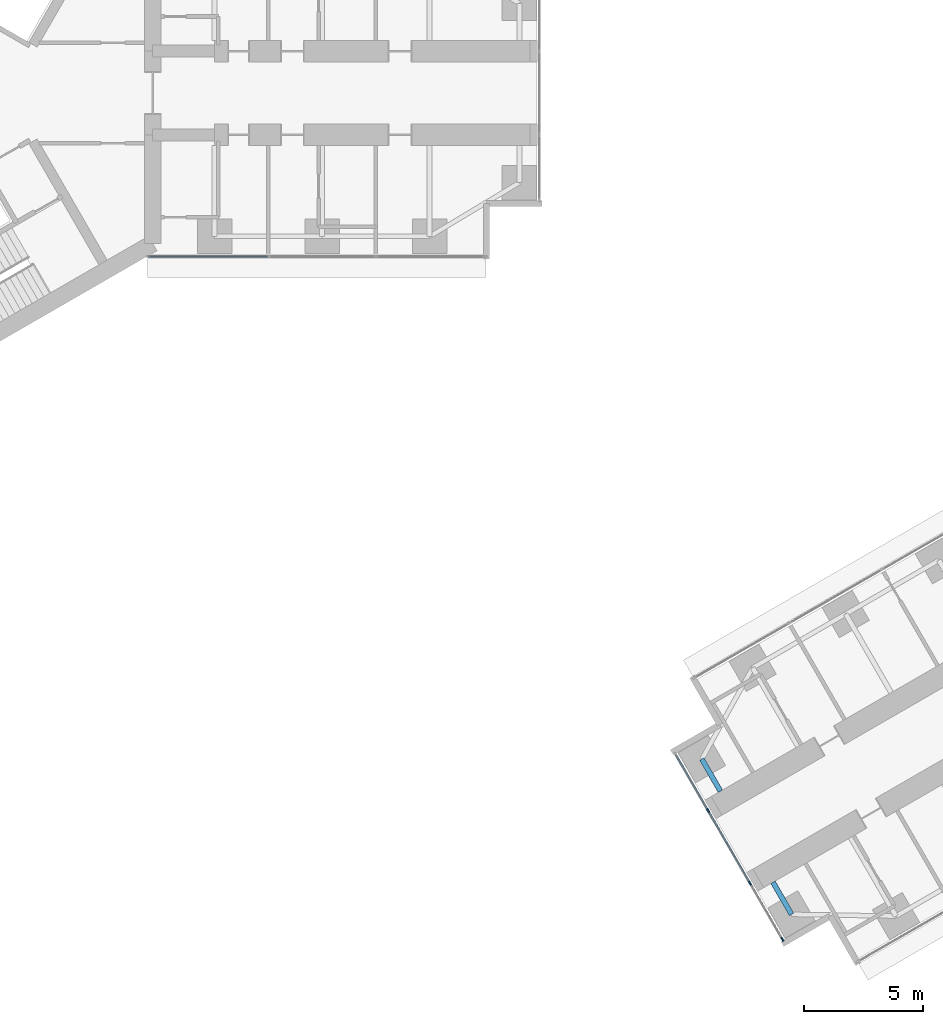
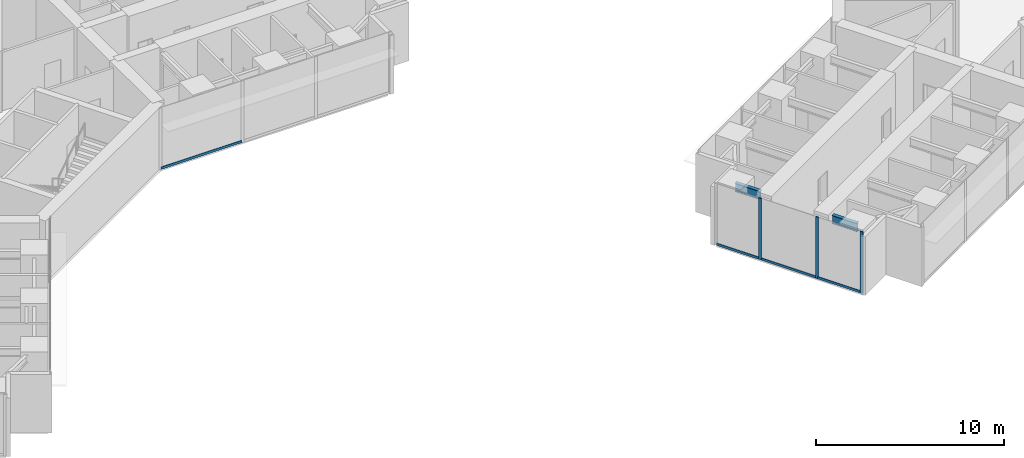
# One storey, part 3 of 24: 7 members, 2 beams, 2 elements without a shape of their own.
"""IFC4 building model written with IfcOpenShell, lengths in metres."""

import ifcopenshell
import ifcopenshell.guid

model = None  # the IFC model being written
_history = None  # IfcOwnerHistory: only IFC2X3 demands one
_inside = {}  # id of a spatial element -> (the spatial element, [elements in it])
_under = {}  # id of a project, library or spatial element -> (it, [spatial elements below it])
_declared = {}  # id of a project -> (the project, [libraries it declares])
_typed = {}  # id of a type object -> (the type object, [elements of that type])
_made_of = {}  # id of a material, layer set ... -> (it, [elements and type objects made of it])


def new_model(schema):
    """Start an empty IFC model of exactly this schema.

    Asked for "IFC4X3", IfcOpenShell would pick the latest addendum, in which some entities
    have other attributes; the version numbers below select the first issue.
    IFC2X3 requires an IfcOwnerHistory on every rooted entity: one is made here for all.
    """
    global model, _history
    if schema == "IFC4X3":
        model = ifcopenshell.file(schema_version=(4, 3, 0, 0))
    else:
        model = ifcopenshell.file(schema=schema)
    _inside.clear()
    _under.clear()
    _declared.clear()
    _typed.clear()
    _made_of.clear()
    _history = None
    if model.schema == "IFC2X3":
        org = make("IfcOrganization", Name="unknown")
        user = make(
            "IfcPersonAndOrganization",
            ThePerson=make("IfcPerson", FamilyName="unknown"),
            TheOrganization=org,
        )
        app = make(
            "IfcApplication",
            ApplicationDeveloper=org,
            Version="unknown",
            ApplicationFullName="unknown",
            ApplicationIdentifier="unknown",
        )
        _history = make(
            "IfcOwnerHistory",
            OwningUser=user,
            OwningApplication=app,
            ChangeAction="ADDED",
            CreationDate=0,
        )
    return model


def make(cls, **values):
    """One entity of the class cls with the attributes given. An attribute that is None is left unset."""
    return model.create_entity(
        cls, **{name: value for name, value in values.items() if value is not None}
    )


def rooted(cls, **values):
    """An entity with a GlobalId (a new one), such as an element, a storey or a relation."""
    return make(cls, GlobalId=ifcopenshell.guid.new(), OwnerHistory=_history, **values)


def si_unit(unit_type, name, prefix=None):
    """IfcSIUnit, for example si_unit("LENGTHUNIT", "METRE", prefix="MILLI")."""
    return make("IfcSIUnit", UnitType=unit_type, Prefix=prefix, Name=name)


def assignment(units):
    """IfcUnitAssignment: the units of a project."""
    return None if units is None else make("IfcUnitAssignment", Units=units)


def point(xyz):
    """IfcCartesianPoint."""
    return None if xyz is None else make("IfcCartesianPoint", Coordinates=xyz)


def direction(xyz):
    """IfcDirection."""
    return None if xyz is None else make("IfcDirection", DirectionRatios=xyz)


def frame(location, z_axis=None, x_axis=None):
    """IfcAxis2Placement3D, a coordinate frame: its origin and axes. An axis left out is left unset."""
    return make(
        "IfcAxis2Placement3D",
        Location=point(location),
        Axis=direction(z_axis),
        RefDirection=direction(x_axis),
    )


def frame_2d(location, x_axis=None):
    """IfcAxis2Placement2D, a coordinate frame in the plane: its origin and x axis."""
    return make(
        "IfcAxis2Placement2D", Location=point(location), RefDirection=direction(x_axis)
    )


def origin():
    """The frame at (0, 0, 0) with its axes left unset."""
    return frame((0.0, 0.0, 0.0))


def origin_2d():
    """The frame at (0, 0) in the plane with its x axis left unset."""
    return frame_2d((0.0, 0.0))


def place(relative_to, where):
    """IfcLocalPlacement: puts the frame where relative to a parent placement (None: the world)."""
    return make(
        "IfcLocalPlacement", PlacementRelTo=relative_to, RelativePlacement=where
    )


def context(
    kind, dimensions, precision=None, world=None, true_north=None, identifier=None
):
    """IfcGeometricRepresentationContext, for example the 3D "Model" context."""
    return make(
        "IfcGeometricRepresentationContext",
        ContextIdentifier=identifier,
        ContextType=kind,
        CoordinateSpaceDimension=dimensions,
        Precision=precision,
        WorldCoordinateSystem=world,
        TrueNorth=true_north,
    )


def subcontext(parent, identifier, kind, view, scale=None):
    """IfcGeometricRepresentationSubContext, for example "Body" below "Model"."""
    return make(
        "IfcGeometricRepresentationSubContext",
        ContextIdentifier=identifier,
        ContextType=kind,
        ParentContext=parent,
        TargetScale=scale,
        TargetView=view,
    )


def project(units=None, contexts=None):
    """IfcProject with its units and contexts."""
    return rooted(
        "IfcProject",
        Name="project",
        RepresentationContexts=contexts,
        UnitsInContext=assignment(units),
    )


def spatial(cls, under=None, at=None, **own):
    """A site, building, storey or space (cls), placed at a placement, below another one or the project."""
    s = rooted(cls, ObjectPlacement=at, **own)
    if under is not None:
        _under.setdefault(under.id(), (under, []))[1].append(s)
    return s


def profile(cls, at=None, kind="AREA", **sizes):
    """A parametric profile (cls). Its sizes go by their IFC names, for example OverallWidth=200.0."""
    return make(cls, ProfileType=kind, Position=at, **sizes)


def rectangle(**sizes):
    """IfcRectangleProfileDef."""
    return profile("IfcRectangleProfileDef", **sizes)


def i_section(**sizes):
    """IfcIShapeProfileDef."""
    return profile("IfcIShapeProfileDef", **sizes)


def extrude(swept, where, along, depth):
    """IfcExtrudedAreaSolid: the profile swept, set in the frame where, extruded along a direction by depth."""
    return make(
        "IfcExtrudedAreaSolid",
        SweptArea=swept,
        Position=where,
        ExtrudedDirection=direction(along),
        Depth=depth,
    )


def shape(context_of_items, identifier, shape_type, items):
    """IfcShapeRepresentation: the items that make up one representation, for example the "Body"."""
    return make(
        "IfcShapeRepresentation",
        ContextOfItems=context_of_items,
        RepresentationIdentifier=identifier,
        RepresentationType=shape_type,
        Items=items,
    )


def material(Name=None, Category=None):
    """IfcMaterial."""
    return make("IfcMaterial", Name=Name, Category=Category)


def material_profile(
    of_material, cross_section, Name=None, Category=None, Priority=None
):
    """IfcMaterialProfile: a cross section and its material."""
    return make(
        "IfcMaterialProfile",
        Name=Name,
        Material=of_material,
        Profile=cross_section,
        Priority=Priority,
        Category=Category,
    )


def profile_set(profiles, Name=None, composite=None):
    """IfcMaterialProfileSet."""
    return make(
        "IfcMaterialProfileSet",
        Name=Name,
        MaterialProfiles=profiles,
        CompositeProfile=composite,
    )


def made_of(thing, what):
    """Note that an element or type object is made of a material, layer set ...; save() writes the relation."""
    if what is not None:
        _made_of.setdefault(what.id(), (what, []))[1].append(thing)
    return thing


def type_object(cls, material=None, **own):
    """A type object (cls), such as IfcWallType, which elements share."""
    return made_of(rooted(cls, **own), material)


def element(
    cls,
    number,
    at=None,
    inside=None,
    cuts=None,
    type_object=None,
    material=None,
    context=None,
    identifier="Body",
    shape_type=None,
    held_by="IfcProductDefinitionShape",
    body=None,
    shapes=None,
    **own,
):
    """One element of the class cls, such as IfcWall. Its Tag is "e" and its number.

    at: its placement. inside: the storey or other place that contains it. cuts: it is an
    opening in that element (IfcRelVoidsElement). A single representation is given by context,
    identifier, shape_type and body (its items); several are given by shapes. held_by: the class
    of the entity that holds the representations. save() writes the other relations.
    """
    e = rooted(cls, Tag="e%d" % number, ObjectPlacement=at, **own)
    if body is not None:
        shapes = [shape(context, identifier, shape_type, body)]
    if shapes is not None:
        e.Representation = make(held_by, Representations=shapes)
    if inside is not None:
        _inside.setdefault(inside.id(), (inside, []))[1].append(e)
    if cuts is not None:
        rooted(
            "IfcRelVoidsElement", RelatingBuildingElement=cuts, RelatedOpeningElement=e
        )
    if type_object is not None:
        _typed.setdefault(type_object.id(), (type_object, []))[1].append(e)
    return made_of(e, material)


def aggregate(whole, parts):
    """IfcRelAggregates: a whole, such as a stair, and the parts it consists of."""
    return rooted("IfcRelAggregates", RelatingObject=whole, RelatedObjects=parts)


def save(model, path):
    """Write the relations noted so far, then the file.

    IfcRelAggregates (storeys below a building ...), IfcRelContainedInSpatialStructure (elements
    in a storey), IfcRelDefinesByType, IfcRelAssociatesMaterial and IfcRelDeclares: one each for
    every whole, place, type object, material and project.
    """
    for whole, parts in _under.values():
        aggregate(whole, parts)
    for where, things in _inside.values():
        rooted(
            "IfcRelContainedInSpatialStructure",
            RelatedElements=things,
            RelatingStructure=where,
        )
    for kind, things in _typed.values():
        rooted("IfcRelDefinesByType", RelatedObjects=things, RelatingType=kind)
    for what, things in _made_of.values():
        rooted("IfcRelAssociatesMaterial", RelatedObjects=things, RelatingMaterial=what)
    for by, libraries in _declared.values():
        rooted("IfcRelDeclares", RelatingContext=by, RelatedDefinitions=libraries)
    model.write(path)


model = new_model("IFC4")

# Units and contexts
model_context = context("Model", 3, precision=1e-05, world=origin(), true_north=direction((0.0, 1.0)))
body_context = subcontext(model_context, "Body", "Model", "MODEL_VIEW")
ifc_project = project(units=[si_unit("LENGTHUNIT", "METRE"), si_unit("AREAUNIT", "SQUARE_METRE"), si_unit("VOLUMEUNIT", "CUBIC_METRE"), si_unit("PLANEANGLEUNIT", "RADIAN"), si_unit("MASSUNIT", "GRAM", prefix="KILO")], contexts=[model_context])

# Site, building, storey
site_placement = place(None, origin())
site = spatial("IfcSite", under=ifc_project, at=site_placement, CompositionType="ELEMENT")
building_placement = place(site_placement, origin())
building = spatial("IfcBuilding", under=site, at=building_placement, Name="Upepo Twin Towers", CompositionType="ELEMENT")
storey_placement = place(building_placement, frame((0.0, 0.0, 64.5)))
storey = spatial("IfcBuildingStorey", under=building, at=storey_placement, Name="L15", CompositionType="ELEMENT", Elevation=64.5)

# Beams
ifc_material_1 = material(Name="Steel S355", Category="steel")
ifc_material_profile_1 = material_profile(ifc_material_1, i_section(OverallWidth=0.2119140625, OverallDepth=0.54443359375, WebThickness=0.0126953125, FlangeThickness=0.021240234375, FilletRadius=0.0126953125, at=origin_2d()), Name="UB 533x210x122")
ifc_profile_set_1 = profile_set([ifc_material_profile_1], Name="Steel S355")
beam_type = type_object("IfcBeamType", Name="Beam UB 533x210x122", PredefinedType="BEAM", material=ifc_profile_set_1)
for number, where, z_axis, x_axis, name in (
    (1, (37.641845703125, -34.37255859375, 3.52783203125), (-0.499967891604, 0.866043940782, 0.0), (-0.866043940782, -0.499967891604, 0.0), "T2 nose beam BL"),
    (2, (33.891845703125, -27.87744140625, 3.52783203125), (0.499967891604, -0.866043940782, 0.0), (0.866043940782, 0.499967891604, 0.0), "T2 nose beam BR"),
):
    element("IfcBeam", number, at=place(storey_placement, frame(where, z_axis=z_axis, x_axis=x_axis)), inside=storey, type_object=beam_type, Name=name, PredefinedType="BEAM", context=body_context, shape_type="SweptSolid", body=[
        extrude(i_section(OverallWidth=0.2119140625, OverallDepth=0.54443359375, WebThickness=0.0126953125, FlangeThickness=0.021240234375, FilletRadius=0.0126953125, at=origin_2d()), origin(), (0.0, 0.0, 1.0), 1.5498046875),
    ])

# Curtain wall, members
ifc_material_2 = material(Name="Aluminium and fritted glass", Category="aluminium")
curtain_wall_type = type_object("IfcCurtainWallType", Name="Tower curtain wall TW1, fritted glass", PredefinedType="NOTDEFINED", material=ifc_material_2)
curtain_wall_1_placement = place(storey_placement, origin())
curtain_wall_1 = element("IfcCurtainWall", 3, at=curtain_wall_1_placement, inside=storey, type_object=curtain_wall_type, Name="T2 L15 wing B nose curtain wall", PredefinedType="NOTDEFINED")
ifc_material_3 = material(Name="Aluminium mullion", Category="aluminium")
ifc_material_profile_2 = material_profile(ifc_material_3, rectangle(XDim=0.06494140625, YDim=0.179931640625, at=origin_2d()), Name="MULLION 65x180")
ifc_profile_set_2 = profile_set([ifc_material_profile_2], Name="Aluminium mullion")
member_type_1 = type_object("IfcMemberType", Name="Mullion 65x180 TW1", PredefinedType="MULLION", material=ifc_profile_set_2)
member_1_placement = place(storey_placement, frame((34.15576171875, -30.034423828125, 0.0), z_axis=(0.0, 0.0, 1.0), x_axis=(0.866025386174, 0.500000030502, 0.0)))
member_1 = element("IfcMember", 4, at=member_1_placement, type_object=member_type_1, Name="T2 L15 wing B nose curtain wall mullion 2", PredefinedType="MULLION", context=body_context, shape_type="SweptSolid", body=[
    extrude(rectangle(XDim=0.06494140625, YDim=0.179931640625, at=origin_2d()), origin(), (0.0, 0.0, 1.0), 4.0),
])
member_2_placement = place(storey_placement, frame((35.90576171875, -33.0654296875, 0.0), z_axis=(0.0, 0.0, 1.0), x_axis=(0.866025386174, 0.500000030502, 0.0)))
member_2 = element("IfcMember", 5, at=member_2_placement, type_object=member_type_1, Name="T2 L15 wing B nose curtain wall mullion 3", PredefinedType="MULLION", context=body_context, shape_type="SweptSolid", body=[
    extrude(rectangle(XDim=0.06494140625, YDim=0.179931640625, at=origin_2d()), origin(), (0.0, 0.0, 1.0), 4.0),
])
member_3_placement = place(storey_placement, frame((37.264404296875, -35.4189453125, 0.0), z_axis=(0.0, 0.0, 1.0), x_axis=(0.866025386174, 0.500000030502, 0.0)))
member_3 = element("IfcMember", 6, at=member_3_placement, type_object=member_type_1, Name="T2 L15 wing B nose curtain wall mullion 4", PredefinedType="MULLION", context=body_context, shape_type="SweptSolid", body=[
    extrude(rectangle(XDim=0.06494140625, YDim=0.179931640625, at=origin_2d()), origin(), (0.0, 0.0, 1.0), 4.0),
])

# Curtain wall, member
curtain_wall_2_placement = place(storey_placement, origin())
curtain_wall_2 = element("IfcCurtainWall", 7, at=curtain_wall_2_placement, inside=storey, type_object=curtain_wall_type, Name="T1 L15 wing A flank R curtain wall", PredefinedType="NOTDEFINED")
ifc_material_4 = material(Name="Aluminium transom", Category="aluminium")
ifc_material_profile_3 = material_profile(ifc_material_4, rectangle(XDim=0.06494140625, YDim=0.14990234375, at=origin_2d()), Name="TRANSOM 65x150")
ifc_profile_set_3 = profile_set([ifc_material_profile_3], Name="Aluminium transom")
member_type_2 = type_object("IfcMemberType", Name="Transom 65x150 TW1", PredefinedType="USERDEFINED", material=ifc_profile_set_3)
member_4_placement = place(storey_placement, frame((15.717529296875, -6.85009765625, 0.074951171875), z_axis=(-1.0, 0.0, 0.0), x_axis=(0.0, -1.0, 0.0)))
member_4 = element("IfcMember", 8, at=member_4_placement, type_object=member_type_2, Name="T1 L15 wing A flank R curtain wall transom 3", ObjectType="TRANSOM", PredefinedType="USERDEFINED", context=body_context, shape_type="SweptSolid", body=[
    extrude(rectangle(XDim=0.06494140625, YDim=0.14990234375, at=origin_2d()), origin(), (0.0, 0.0, 1.0), 4.96533203125),
])
aggregate(curtain_wall_2, [member_4])

# Member
member_5_placement = place(storey_placement, frame((32.813232421875, -27.709228515625, 0.074951171875), z_axis=(0.499980071345, -0.866036909293, 0.0), x_axis=(0.866036909293, 0.499980071345, 0.0)))
member_5 = element("IfcMember", 9, at=member_5_placement, type_object=member_type_2, Name="T2 L15 wing B nose curtain wall transom 1", ObjectType="TRANSOM", PredefinedType="USERDEFINED", context=body_context, shape_type="SweptSolid", body=[
    extrude(rectangle(XDim=0.06494140625, YDim=0.14990234375, at=origin_2d()), origin(), (0.0, 0.0, 1.0), 2.65234375),
])

member_6_placement = place(storey_placement, frame((34.171875, -30.0625, 0.074951171875), z_axis=(0.499999305434, -0.866025804792, 0.0), x_axis=(0.866025804792, 0.499999305434, 0.0)))
member_6 = element("IfcMember", 10, at=member_6_placement, type_object=member_type_2, Name="T2 L15 wing B nose curtain wall transom 2", ObjectType="TRANSOM", PredefinedType="USERDEFINED", context=body_context, shape_type="SweptSolid", body=[
    extrude(rectangle(XDim=0.06494140625, YDim=0.14990234375, at=origin_2d()), origin(), (0.0, 0.0, 1.0), 3.43505859375),
])

member_7_placement = place(storey_placement, frame((35.921875, -33.09375, 0.074951171875), z_axis=(0.500049101008, -0.865997053448, 0.0), x_axis=(0.865997053448, 0.500049101008, 0.0)))
member_7 = element("IfcMember", 11, at=member_7_placement, type_object=member_type_2, Name="T2 L15 wing B nose curtain wall transom 3", ObjectType="TRANSOM", PredefinedType="USERDEFINED", context=body_context, shape_type="SweptSolid", body=[
    extrude(rectangle(XDim=0.06494140625, YDim=0.14990234375, at=origin_2d()), origin(), (0.0, 0.0, 1.0), 2.652587890625),
])

aggregate(curtain_wall_1, [member_1, member_2, member_3, member_5, member_6, member_7])

save(model, "model.ifc")
